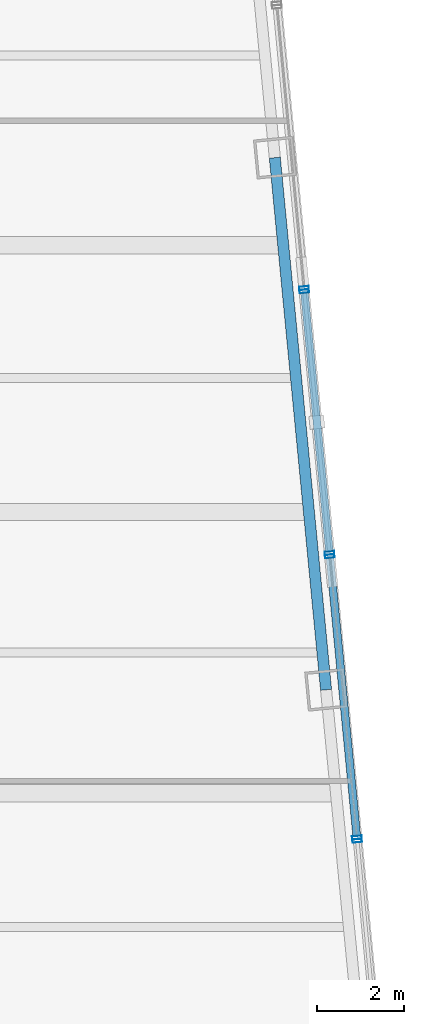
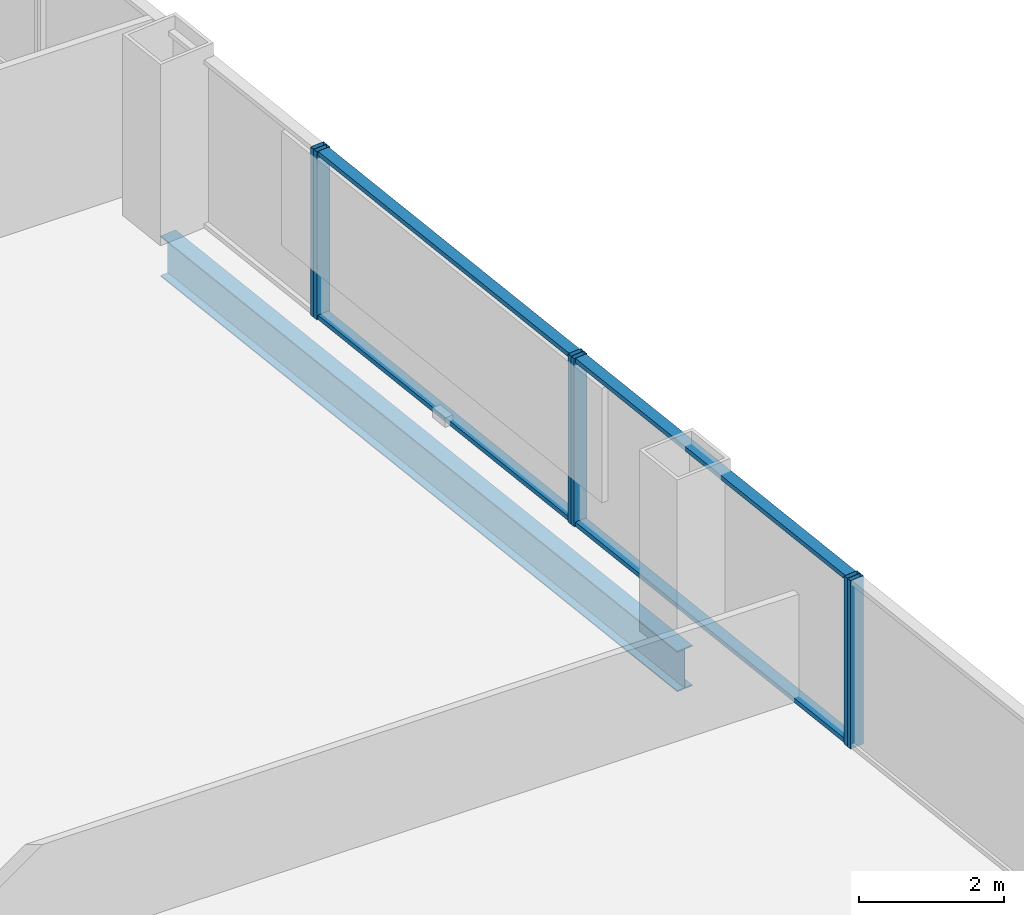
# One storey, part 14 of 28: 10 members, 1 beam, 4 elements without a shape of their own.
"""IFC4 building model written with IfcOpenShell, lengths in metres."""

from ifc_helpers import new_model, si_unit, direction, frame, origin, origin_2d, place, context, subcontext, project, spatial, hollow_rectangle, i_section, extrude, material, layer, layer_set, material_profile, profile_set, type_object, element, aggregate, save


model = new_model("IFC4")

# Units and contexts
model_context = context("Model", 3, precision=1e-05, world=origin(), true_north=direction((0.0, 1.0)))
body_context = subcontext(model_context, "Body", "Model", "MODEL_VIEW")
ifc_project = project(units=[si_unit("LENGTHUNIT", "METRE"), si_unit("AREAUNIT", "SQUARE_METRE"), si_unit("VOLUMEUNIT", "CUBIC_METRE"), si_unit("PLANEANGLEUNIT", "RADIAN"), si_unit("MASSUNIT", "GRAM", prefix="KILO")], contexts=[model_context])

# Site, building, storey
site_placement = place(None, origin())
site = spatial("IfcSite", under=ifc_project, at=site_placement, CompositionType="ELEMENT")
building_placement = place(site_placement, origin())
building = spatial("IfcBuilding", under=site, at=building_placement, Name="Qhalaya Broadcast Tower", CompositionType="ELEMENT")
storey_placement = place(building_placement, frame((0.0, 0.0, 90.800048828125)))
storey = spatial("IfcBuildingStorey", under=building, at=storey_placement, Name="L26", CompositionType="ELEMENT", Elevation=90.800048828125)

# Beam
ifc_material_1 = material(Name="Structural Steel ASTM A992 Grade 50", Category="steel")
ifc_material_profile_1 = material_profile(ifc_material_1, i_section(OverallWidth=0.25390625, OverallDepth=0.68310546875, WebThickness=0.012451171875, FlangeThickness=0.01904296875, at=origin_2d()), Name="W27X94")
ifc_profile_set_1 = profile_set([ifc_material_profile_1], Name="Structural Steel ASTM A992 Grade 50")
beam_type = type_object("IfcBeamType", Name="Perimeter Ring Spandrel Beam SP1", PredefinedType="SPANDREL", material=ifc_profile_set_1)
beam_placement = place(storey_placement, frame((28.116943359375, -0.255126953125, -0.5615234375), z_axis=(-0.095851586307, 0.99539563662, 0.0), x_axis=(-0.99539563662, -0.095851586307, 0.0)))
element("IfcBeam", 1, at=beam_placement, inside=storey, type_object=beam_type, Name="L26 SP1 L26-SPR-06", PredefinedType="SPANDREL", context=body_context, shape_type="SweptSolid", body=[
    extrude(i_section(OverallWidth=0.25390625, OverallDepth=0.68310546875, WebThickness=0.012451171875, FlangeThickness=0.01904296875, at=origin_2d()), origin(), (0.0, 0.0, 1.0), 12.2666015625),
])

# Curtain wall, member
ifc_material_2 = material(Name="Fired Architectural Terracotta", Category="masonry")
ifc_layer_1 = layer(ifc_material_2, 0.219970703125, Name="Fired Architectural Terracotta")
ifc_layer_set_1 = layer_set([ifc_layer_1], Name="Fired Architectural Terracotta")
curtain_wall_type_1 = type_object("IfcCurtainWallType", Name="Block-Cap Unitised Terracotta Spandrel Wall CW-07", PredefinedType="NOTDEFINED", material=ifc_layer_set_1)
curtain_wall_1_placement = place(storey_placement, origin())
curtain_wall_1 = element("IfcCurtainWall", 2, at=curtain_wall_1_placement, inside=storey, type_object=curtain_wall_type_1, Name="L26 Unitised Curtain Wall L26-CW-E2", PredefinedType="NOTDEFINED")
ifc_material_3 = material(Name="Anodised Aluminium 6063-T6", Category="aluminium")
ifc_material_profile_2 = material_profile(ifc_material_3, hollow_rectangle(XDim=0.074951171875, YDim=0.219970703125, WallThickness=0.00390625, at=origin_2d()), Name="ALU-MUL 75x220x4")
ifc_profile_set_2 = profile_set([ifc_material_profile_2], Name="Anodised Aluminium 6063-T6")
member_type_1 = type_object("IfcMemberType", Name="Unitised Curtain-Wall Mullion M01", PredefinedType="MULLION", material=ifc_profile_set_2)
member_1_placement = place(storey_placement, frame((28.832275390625, -3.71875, 0.0), z_axis=(0.0, 0.0, 1.0), x_axis=(-0.095843409779, 0.995396423945, 0.0)))
member_1 = element("IfcMember", 3, at=member_1_placement, type_object=member_type_1, Name="CW-07 mullion 2", PredefinedType="MULLION", context=body_context, shape_type="SweptSolid", body=[
    extrude(hollow_rectangle(XDim=0.074951171875, YDim=0.219970703125, WallThickness=0.00390625, at=origin_2d()), origin(), (0.0, 0.0, 1.0), 2.829833984375),
])
aggregate(curtain_wall_1, [member_1])

# Curtain wall, members
ifc_material_4 = material(Name="Solar-Control Low-E Triple Glazing", Category="glass")
ifc_layer_2 = layer(ifc_material_4, 0.219970703125, Name="Solar-Control Low-E Triple Glazing")
ifc_layer_set_2 = layer_set([ifc_layer_2], Name="Solar-Control Low-E Triple Glazing")
curtain_wall_type_2 = type_object("IfcCurtainWallType", Name="Even-Block 4-Storey Double-Module Curtain Wall CW-03", PredefinedType="NOTDEFINED", material=ifc_layer_set_2)
curtain_wall_2_placement = place(storey_placement, origin())
curtain_wall_2 = element("IfcCurtainWall", 4, at=curtain_wall_2_placement, inside=storey, type_object=curtain_wall_type_2, Name="L26 Unitised Curtain Wall L26-CW-E3", PredefinedType="NOTDEFINED")
member_2_placement = place(storey_placement, frame((28.824951171875, -3.644287109375, 0.0), z_axis=(0.0, 0.0, 1.0), x_axis=(-0.095852453314, 0.995395553131, 0.0)))
member_2 = element("IfcMember", 5, at=member_2_placement, type_object=member_type_1, Name="CW-03 mullion 1", PredefinedType="MULLION", context=body_context, shape_type="SweptSolid", body=[
    extrude(hollow_rectangle(XDim=0.074951171875, YDim=0.219970703125, WallThickness=0.00390625, at=origin_2d()), origin(), (0.0, 0.0, 1.0), 2.829833984375),
])
member_3_placement = place(storey_placement, frame((28.20361328125, 2.80908203125, 0.0), z_axis=(0.0, 0.0, 1.0), x_axis=(-0.095852453314, 0.995395553131, 0.0)))
member_3 = element("IfcMember", 6, at=member_3_placement, type_object=member_type_1, Name="CW-03 mullion 2", PredefinedType="MULLION", context=body_context, shape_type="SweptSolid", body=[
    extrude(hollow_rectangle(XDim=0.074951171875, YDim=0.219970703125, WallThickness=0.00390625, at=origin_2d()), origin(), (0.0, 0.0, 1.0), 2.829833984375),
])

curtain_wall_3_placement = place(storey_placement, origin())
curtain_wall_3 = element("IfcCurtainWall", 7, at=curtain_wall_3_placement, inside=storey, type_object=curtain_wall_type_1, Name="L26 Unitised Curtain Wall L26-CW-E4", PredefinedType="NOTDEFINED")
member_4_placement = place(storey_placement, frame((28.1962890625, 2.883544921875, 0.0), z_axis=(0.0, 0.0, 1.0), x_axis=(-0.095841245509, 0.995396632333, 0.0)))
member_4 = element("IfcMember", 8, at=member_4_placement, type_object=member_type_1, Name="CW-07 mullion 1", PredefinedType="MULLION", context=body_context, shape_type="SweptSolid", body=[
    extrude(hollow_rectangle(XDim=0.074951171875, YDim=0.219970703125, WallThickness=0.00390625, at=origin_2d()), origin(), (0.0, 0.0, 1.0), 2.829833984375),
])
member_5_placement = place(storey_placement, frame((27.6181640625, 8.888916015625, 0.0), z_axis=(0.0, 0.0, 1.0), x_axis=(-0.095841245509, 0.995396632333, 0.0)))
member_5 = element("IfcMember", 9, at=member_5_placement, type_object=member_type_1, Name="CW-07 mullion 2", PredefinedType="MULLION", context=body_context, shape_type="SweptSolid", body=[
    extrude(hollow_rectangle(XDim=0.074951171875, YDim=0.219970703125, WallThickness=0.00390625, at=origin_2d()), origin(), (0.0, 0.0, 1.0), 2.829833984375),
])

# Curtain wall, member
curtain_wall_4_placement = place(storey_placement, origin())
curtain_wall_4 = element("IfcCurtainWall", 10, at=curtain_wall_4_placement, inside=storey, type_object=curtain_wall_type_2, Name="L26 Unitised Curtain Wall L26-CW-E5", PredefinedType="NOTDEFINED")
member_6_placement = place(storey_placement, frame((27.611083984375, 8.963623046875, 0.0), z_axis=(0.0, 0.0, 1.0), x_axis=(-0.095852453314, 0.995395553131, 0.0)))
member_6 = element("IfcMember", 11, at=member_6_placement, type_object=member_type_1, Name="CW-03 mullion 1", PredefinedType="MULLION", context=body_context, shape_type="SweptSolid", body=[
    extrude(hollow_rectangle(XDim=0.074951171875, YDim=0.219970703125, WallThickness=0.00390625, at=origin_2d()), origin(), (0.0, 0.0, 1.0), 2.829833984375),
])
aggregate(curtain_wall_4, [member_6])

# Member
ifc_material_profile_3 = material_profile(ifc_material_3, hollow_rectangle(XDim=0.074951171875, YDim=0.179931640625, WallThickness=0.00390625, at=origin_2d()), Name="ALU-TRN 75x180x4")
ifc_profile_set_3 = profile_set([ifc_material_profile_3], Name="Anodised Aluminium 6063-T6")
member_type_2 = type_object("IfcMemberType", Name="Unitised Curtain-Wall Transom T01", PredefinedType="USERDEFINED", material=ifc_profile_set_3)
member_7_placement = place(storey_placement, frame((28.8212890625, -3.60693359375, 0.037353515625), z_axis=(-0.095817669031, 0.9953989021, 0.0), x_axis=(0.0, 0.0, 1.0)))
member_7 = element("IfcMember", 12, at=member_7_placement, type_object=member_type_2, Name="CW-03 transom 1.1", ObjectType="TRANSOM", PredefinedType="USERDEFINED", context=body_context, shape_type="SweptSolid", body=[
    extrude(hollow_rectangle(XDim=0.074951171875, YDim=0.179931640625, WallThickness=0.00390625, at=origin_2d()), origin(), (0.0, 0.0, 1.0), 6.408203125),
])

member_8_placement = place(storey_placement, frame((28.8212890625, -3.60693359375, 2.79248046875), z_axis=(-0.095817669031, 0.9953989021, 0.0), x_axis=(0.0, 0.0, 1.0)))
member_8 = element("IfcMember", 13, at=member_8_placement, type_object=member_type_2, Name="CW-03 transom 1.2", ObjectType="TRANSOM", PredefinedType="USERDEFINED", context=body_context, shape_type="SweptSolid", body=[
    extrude(hollow_rectangle(XDim=0.074951171875, YDim=0.179931640625, WallThickness=0.00390625, at=origin_2d()), origin(), (0.0, 0.0, 1.0), 6.408203125),
])

aggregate(curtain_wall_2, [member_2, member_3, member_7, member_8])

member_9_placement = place(storey_placement, frame((28.19287109375, 2.9208984375, 0.037353515625), z_axis=(-0.095843578039, 0.995396407744, 0.0), x_axis=(0.0, 0.0, 1.0)))
member_9 = element("IfcMember", 14, at=member_9_placement, type_object=member_type_2, Name="CW-07 transom 1.1", ObjectType="TRANSOM", PredefinedType="USERDEFINED", context=body_context, shape_type="SweptSolid", body=[
    extrude(hollow_rectangle(XDim=0.074951171875, YDim=0.179931640625, WallThickness=0.00390625, at=origin_2d()), origin(), (0.0, 0.0, 1.0), 5.9580078125),
])

member_10_placement = place(storey_placement, frame((28.19287109375, 2.9208984375, 2.79248046875), z_axis=(-0.095843578039, 0.995396407744, 0.0), x_axis=(0.0, 0.0, 1.0)))
member_10 = element("IfcMember", 15, at=member_10_placement, type_object=member_type_2, Name="CW-07 transom 1.2", ObjectType="TRANSOM", PredefinedType="USERDEFINED", context=body_context, shape_type="SweptSolid", body=[
    extrude(hollow_rectangle(XDim=0.074951171875, YDim=0.179931640625, WallThickness=0.00390625, at=origin_2d()), origin(), (0.0, 0.0, 1.0), 5.9580078125),
])

aggregate(curtain_wall_3, [member_4, member_5, member_9, member_10])

save(model, "model.ifc")
